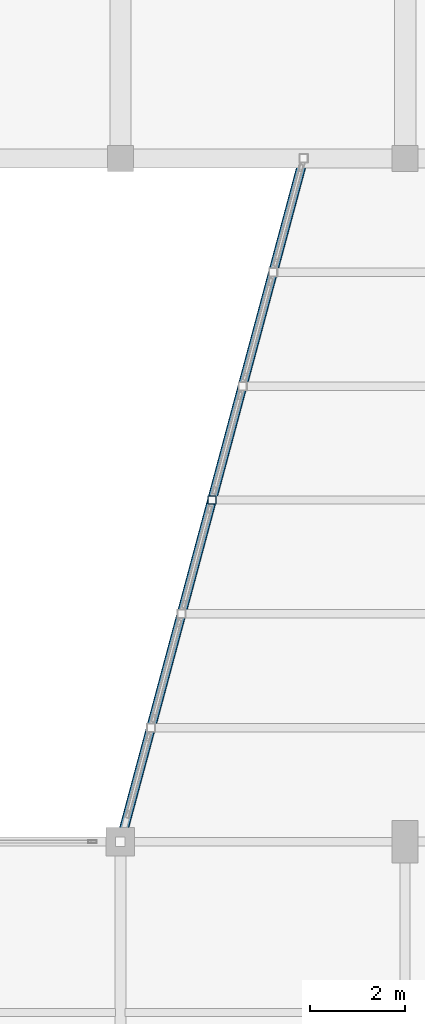
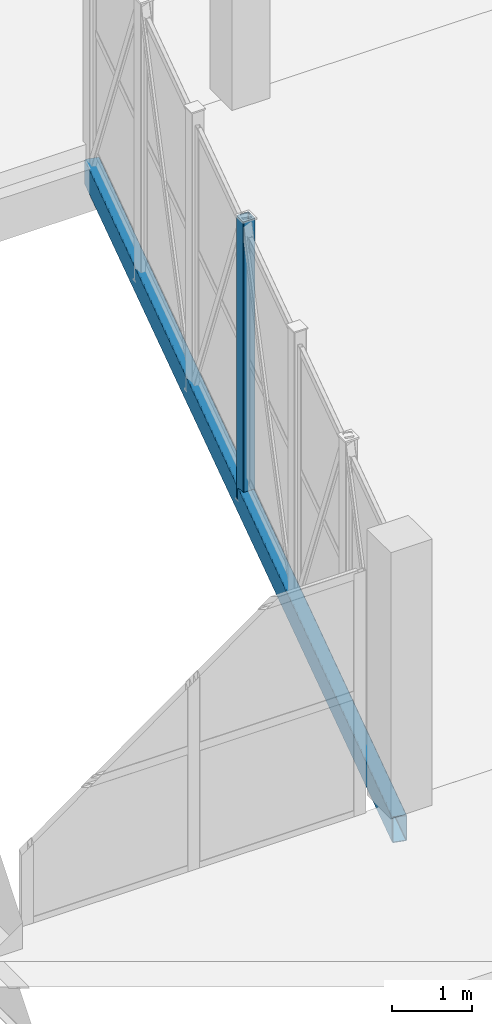
# One storey, part 79 of 127: 1 beam, 1 member.
"""IFC4 building model written with IfcOpenShell, lengths in metres."""

import ifcopenshell
import ifcopenshell.guid

model = None  # the IFC model being written
_history = None  # IfcOwnerHistory: only IFC2X3 demands one
_inside = {}  # id of a spatial element -> (the spatial element, [elements in it])
_under = {}  # id of a project, library or spatial element -> (it, [spatial elements below it])
_declared = {}  # id of a project -> (the project, [libraries it declares])
_typed = {}  # id of a type object -> (the type object, [elements of that type])
_made_of = {}  # id of a material, layer set ... -> (it, [elements and type objects made of it])


def new_model(schema):
    """Start an empty IFC model of exactly this schema.

    Asked for "IFC4X3", IfcOpenShell would pick the latest addendum, in which some entities
    have other attributes; the version numbers below select the first issue.
    IFC2X3 requires an IfcOwnerHistory on every rooted entity: one is made here for all.
    """
    global model, _history
    if schema == "IFC4X3":
        model = ifcopenshell.file(schema_version=(4, 3, 0, 0))
    else:
        model = ifcopenshell.file(schema=schema)
    _inside.clear()
    _under.clear()
    _declared.clear()
    _typed.clear()
    _made_of.clear()
    _history = None
    if model.schema == "IFC2X3":
        org = make("IfcOrganization", Name="unknown")
        user = make(
            "IfcPersonAndOrganization",
            ThePerson=make("IfcPerson", FamilyName="unknown"),
            TheOrganization=org,
        )
        app = make(
            "IfcApplication",
            ApplicationDeveloper=org,
            Version="unknown",
            ApplicationFullName="unknown",
            ApplicationIdentifier="unknown",
        )
        _history = make(
            "IfcOwnerHistory",
            OwningUser=user,
            OwningApplication=app,
            ChangeAction="ADDED",
            CreationDate=0,
        )
    return model


def make(cls, **values):
    """One entity of the class cls with the attributes given. An attribute that is None is left unset."""
    return model.create_entity(
        cls, **{name: value for name, value in values.items() if value is not None}
    )


def rooted(cls, **values):
    """An entity with a GlobalId (a new one), such as an element, a storey or a relation."""
    return make(cls, GlobalId=ifcopenshell.guid.new(), OwnerHistory=_history, **values)


def si_unit(unit_type, name, prefix=None):
    """IfcSIUnit, for example si_unit("LENGTHUNIT", "METRE", prefix="MILLI")."""
    return make("IfcSIUnit", UnitType=unit_type, Prefix=prefix, Name=name)


def assignment(units):
    """IfcUnitAssignment: the units of a project."""
    return None if units is None else make("IfcUnitAssignment", Units=units)


def point(xyz):
    """IfcCartesianPoint."""
    return None if xyz is None else make("IfcCartesianPoint", Coordinates=xyz)


def direction(xyz):
    """IfcDirection."""
    return None if xyz is None else make("IfcDirection", DirectionRatios=xyz)


def frame(location, z_axis=None, x_axis=None):
    """IfcAxis2Placement3D, a coordinate frame: its origin and axes. An axis left out is left unset."""
    return make(
        "IfcAxis2Placement3D",
        Location=point(location),
        Axis=direction(z_axis),
        RefDirection=direction(x_axis),
    )


def frame_2d(location, x_axis=None):
    """IfcAxis2Placement2D, a coordinate frame in the plane: its origin and x axis."""
    return make(
        "IfcAxis2Placement2D", Location=point(location), RefDirection=direction(x_axis)
    )


def origin():
    """The frame at (0, 0, 0) with its axes left unset."""
    return frame((0.0, 0.0, 0.0))


def origin_2d():
    """The frame at (0, 0) in the plane with its x axis left unset."""
    return frame_2d((0.0, 0.0))


def place(relative_to, where):
    """IfcLocalPlacement: puts the frame where relative to a parent placement (None: the world)."""
    return make(
        "IfcLocalPlacement", PlacementRelTo=relative_to, RelativePlacement=where
    )


def context(
    kind, dimensions, precision=None, world=None, true_north=None, identifier=None
):
    """IfcGeometricRepresentationContext, for example the 3D "Model" context."""
    return make(
        "IfcGeometricRepresentationContext",
        ContextIdentifier=identifier,
        ContextType=kind,
        CoordinateSpaceDimension=dimensions,
        Precision=precision,
        WorldCoordinateSystem=world,
        TrueNorth=true_north,
    )


def subcontext(parent, identifier, kind, view, scale=None):
    """IfcGeometricRepresentationSubContext, for example "Body" below "Model"."""
    return make(
        "IfcGeometricRepresentationSubContext",
        ContextIdentifier=identifier,
        ContextType=kind,
        ParentContext=parent,
        TargetScale=scale,
        TargetView=view,
    )


def project(units=None, contexts=None):
    """IfcProject with its units and contexts."""
    return rooted(
        "IfcProject",
        Name="project",
        RepresentationContexts=contexts,
        UnitsInContext=assignment(units),
    )


def spatial(cls, under=None, at=None, **own):
    """A site, building, storey or space (cls), placed at a placement, below another one or the project."""
    s = rooted(cls, ObjectPlacement=at, **own)
    if under is not None:
        _under.setdefault(under.id(), (under, []))[1].append(s)
    return s


def profile(cls, at=None, kind="AREA", **sizes):
    """A parametric profile (cls). Its sizes go by their IFC names, for example OverallWidth=200.0."""
    return make(cls, ProfileType=kind, Position=at, **sizes)


def hollow_rectangle(**sizes):
    """IfcRectangleHollowProfileDef."""
    return profile("IfcRectangleHollowProfileDef", **sizes)


def extrude(swept, where, along, depth):
    """IfcExtrudedAreaSolid: the profile swept, set in the frame where, extruded along a direction by depth."""
    return make(
        "IfcExtrudedAreaSolid",
        SweptArea=swept,
        Position=where,
        ExtrudedDirection=direction(along),
        Depth=depth,
    )


def shape(context_of_items, identifier, shape_type, items):
    """IfcShapeRepresentation: the items that make up one representation, for example the "Body"."""
    return make(
        "IfcShapeRepresentation",
        ContextOfItems=context_of_items,
        RepresentationIdentifier=identifier,
        RepresentationType=shape_type,
        Items=items,
    )


def material(Name=None, Category=None):
    """IfcMaterial."""
    return make("IfcMaterial", Name=Name, Category=Category)


def material_profile(
    of_material, cross_section, Name=None, Category=None, Priority=None
):
    """IfcMaterialProfile: a cross section and its material."""
    return make(
        "IfcMaterialProfile",
        Name=Name,
        Material=of_material,
        Profile=cross_section,
        Priority=Priority,
        Category=Category,
    )


def profile_set(profiles, Name=None, composite=None):
    """IfcMaterialProfileSet."""
    return make(
        "IfcMaterialProfileSet",
        Name=Name,
        MaterialProfiles=profiles,
        CompositeProfile=composite,
    )


def made_of(thing, what):
    """Note that an element or type object is made of a material, layer set ...; save() writes the relation."""
    if what is not None:
        _made_of.setdefault(what.id(), (what, []))[1].append(thing)
    return thing


def type_object(cls, material=None, **own):
    """A type object (cls), such as IfcWallType, which elements share."""
    return made_of(rooted(cls, **own), material)


def element(
    cls,
    number,
    at=None,
    inside=None,
    cuts=None,
    type_object=None,
    material=None,
    context=None,
    identifier="Body",
    shape_type=None,
    held_by="IfcProductDefinitionShape",
    body=None,
    shapes=None,
    **own,
):
    """One element of the class cls, such as IfcWall. Its Tag is "e" and its number.

    at: its placement. inside: the storey or other place that contains it. cuts: it is an
    opening in that element (IfcRelVoidsElement). A single representation is given by context,
    identifier, shape_type and body (its items); several are given by shapes. held_by: the class
    of the entity that holds the representations. save() writes the other relations.
    """
    e = rooted(cls, Tag="e%d" % number, ObjectPlacement=at, **own)
    if body is not None:
        shapes = [shape(context, identifier, shape_type, body)]
    if shapes is not None:
        e.Representation = make(held_by, Representations=shapes)
    if inside is not None:
        _inside.setdefault(inside.id(), (inside, []))[1].append(e)
    if cuts is not None:
        rooted(
            "IfcRelVoidsElement", RelatingBuildingElement=cuts, RelatedOpeningElement=e
        )
    if type_object is not None:
        _typed.setdefault(type_object.id(), (type_object, []))[1].append(e)
    return made_of(e, material)


def aggregate(whole, parts):
    """IfcRelAggregates: a whole, such as a stair, and the parts it consists of."""
    return rooted("IfcRelAggregates", RelatingObject=whole, RelatedObjects=parts)


def save(model, path):
    """Write the relations noted so far, then the file.

    IfcRelAggregates (storeys below a building ...), IfcRelContainedInSpatialStructure (elements
    in a storey), IfcRelDefinesByType, IfcRelAssociatesMaterial and IfcRelDeclares: one each for
    every whole, place, type object, material and project.
    """
    for whole, parts in _under.values():
        aggregate(whole, parts)
    for where, things in _inside.values():
        rooted(
            "IfcRelContainedInSpatialStructure",
            RelatedElements=things,
            RelatingStructure=where,
        )
    for kind, things in _typed.values():
        rooted("IfcRelDefinesByType", RelatedObjects=things, RelatingType=kind)
    for what, things in _made_of.values():
        rooted("IfcRelAssociatesMaterial", RelatedObjects=things, RelatingMaterial=what)
    for by, libraries in _declared.values():
        rooted("IfcRelDeclares", RelatingContext=by, RelatedDefinitions=libraries)
    model.write(path)


model = new_model("IFC4")

# Units and contexts
model_context = context("Model", 3, precision=1e-05, world=origin(), true_north=direction((0.0, 1.0)))
body_context = subcontext(model_context, "Body", "Model", "MODEL_VIEW")
ifc_project = project(units=[si_unit("LENGTHUNIT", "METRE"), si_unit("AREAUNIT", "SQUARE_METRE"), si_unit("VOLUMEUNIT", "CUBIC_METRE"), si_unit("PLANEANGLEUNIT", "RADIAN"), si_unit("MASSUNIT", "GRAM", prefix="KILO")], contexts=[model_context])

# Site, building, storey
site_placement = place(None, origin())
site = spatial("IfcSite", under=ifc_project, at=site_placement, CompositionType="ELEMENT")
building_placement = place(site_placement, origin())
building = spatial("IfcBuilding", under=site, at=building_placement, Name="Dunvalen Ferry Terminal", CompositionType="ELEMENT")
storey_placement = place(building_placement, frame((0.0, 0.0, 5.760009765625)))
storey = spatial("IfcBuildingStorey", under=building, at=storey_placement, Name="L01", CompositionType="ELEMENT", Elevation=5.760009765625)

# Beam
ifc_material = material(Name="Steel S355", Category="steel")
ifc_material_profile_1 = material_profile(ifc_material, hollow_rectangle(XDim=0.199951171875, YDim=0.39990234375, WallThickness=0.012451171875, InnerFilletRadius=0.012451171875, OuterFilletRadius=0.02490234375, at=origin_2d()), Name="Steel S355")
ifc_profile_set_1 = profile_set([ifc_material_profile_1], Name="Steel S355")
beam_type = type_object("IfcBeamType", Name="STR-BM-RHS400", PredefinedType="BEAM", material=ifc_profile_set_1)
beam_placement = place(storey_placement, frame((126.0, 86.39990234375, -0.43994140625), z_axis=(0.258812211902, 0.965927657214, 0.0), x_axis=(-0.965927657214, 0.258812211902, 0.0)))
element("IfcBeam", 1, at=beam_placement, inside=storey, type_object=beam_type, Name="Boarding Bridge 2 Warren Bottom Chord 1", PredefinedType="BEAM", context=body_context, shape_type="SweptSolid", body=[
    extrude(hollow_rectangle(XDim=0.199951171875, YDim=0.39990234375, WallThickness=0.012451171875, InnerFilletRadius=0.012451171875, OuterFilletRadius=0.02490234375, at=origin_2d()), origin(), (0.0, 0.0, 1.0), 14.908203125),
])

# Member
ifc_material_profile_2 = material_profile(ifc_material, hollow_rectangle(XDim=0.179931640625, YDim=0.179931640625, WallThickness=0.008056640625, InnerFilletRadius=0.008056640625, OuterFilletRadius=0.01611328125, at=origin_2d()), Name="Steel S355")
ifc_profile_set_2 = profile_set([ifc_material_profile_2], Name="Steel S355")
member_type = type_object("IfcMemberType", Name="STR-MB-SHS180", PredefinedType="STRUT", material=ifc_profile_set_2)
member_placement = place(storey_placement, frame((127.92919921875, 93.60009765625, -0.43994140625), z_axis=(0.0, 0.0, 1.0), x_axis=(1.0, 0.0, 0.0)))
element("IfcMember", 2, at=member_placement, inside=storey, type_object=member_type, Name="Boarding Bridge 2 Truss Post 1.3", PredefinedType="STRUT", context=body_context, shape_type="SweptSolid", body=[
    extrude(hollow_rectangle(XDim=0.179931640625, YDim=0.179931640625, WallThickness=0.008056640625, InnerFilletRadius=0.008056640625, OuterFilletRadius=0.01611328125, at=origin_2d()), origin(), (0.0, 0.0, 1.0), 4.33984375),
])

save(model, "model.ifc")
